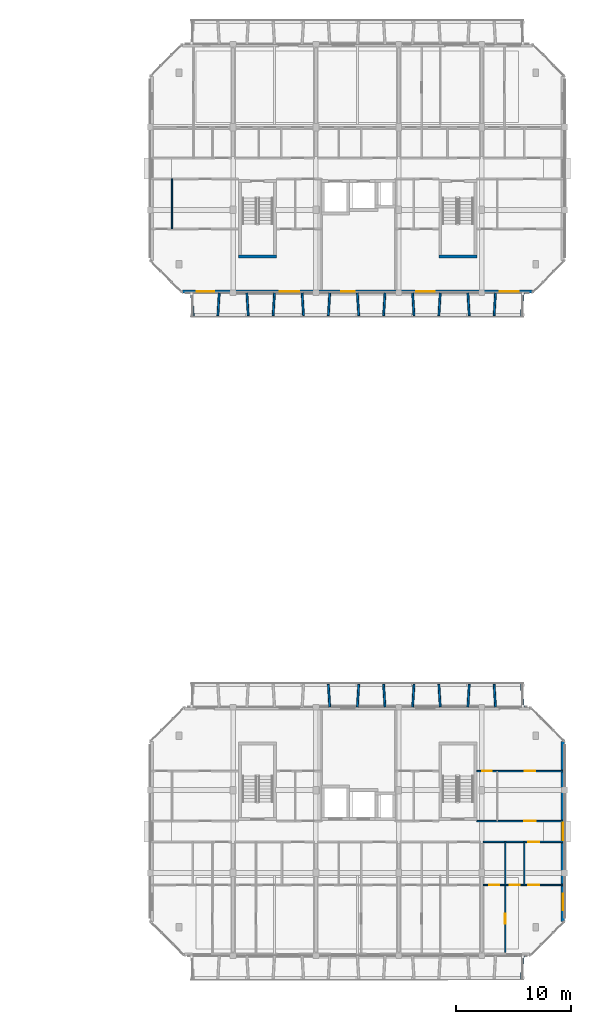
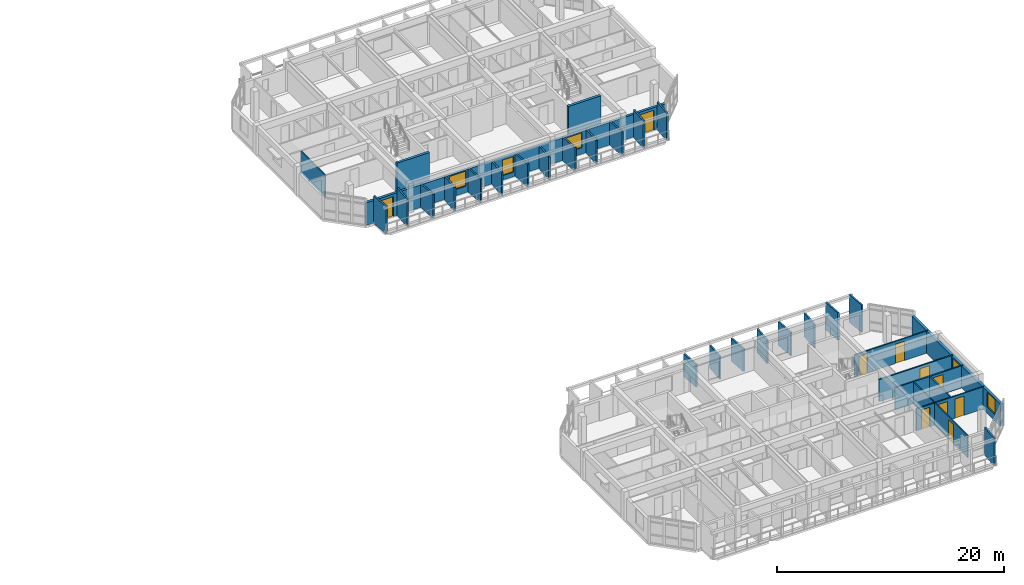
# One storey, part 26 of 45: 34 walls, 10 doors, 5 windows, 15 openings.
"""IFC4 building model written with IfcOpenShell, lengths in metres."""

from ifc_helpers import new_model, si_unit, direction, frame, frame_2d, origin, place, context, subcontext, project, spatial, rectangle, extrude, material, layer, layer_set, type_object, element, fill, save


model = new_model("IFC4")

# Units and contexts
model_context = context("Model", 3, precision=1e-05, world=origin(), true_north=direction((0.0, 1.0)))
body_context = subcontext(model_context, "Body", "Model", "MODEL_VIEW")
ifc_project = project(units=[si_unit("LENGTHUNIT", "METRE"), si_unit("AREAUNIT", "SQUARE_METRE"), si_unit("VOLUMEUNIT", "CUBIC_METRE"), si_unit("PLANEANGLEUNIT", "RADIAN"), si_unit("MASSUNIT", "GRAM", prefix="KILO")], contexts=[model_context])

# Site, building, storey
site_placement = place(None, origin())
site = spatial("IfcSite", under=ifc_project, at=site_placement, CompositionType="ELEMENT")
building_placement = place(site_placement, origin())
building = spatial("IfcBuilding", under=site, at=building_placement, Name="Ochrevale Crest", CompositionType="ELEMENT")
storey_placement = place(building_placement, frame((0.0, 0.0, 18.14990234375)))
storey = spatial("IfcBuildingStorey", under=building, at=storey_placement, Name="L05", CompositionType="ELEMENT", Elevation=18.14990234375)

# Wall, opening, door
ifc_material_1 = material(Name="Gypsum plasterboard", Category="gypsum")
ifc_layer_1 = layer(ifc_material_1, 0.139892578125)
ifc_layer_set_1 = layer_set([ifc_layer_1], Name="Gypsum plasterboard")
wall_type_1 = type_object("IfcWallType", Name="WL-COR-140", PredefinedType="PARTITIONING", material=ifc_layer_set_1)
wall_1_placement = place(storey_placement, frame((158.5400390625, 24.300048828125, 0.0), z_axis=(0.0, 0.0, 1.0), x_axis=(1.0, 0.0, 0.0)))
wall_1 = element("IfcWall", 1, at=wall_1_placement, inside=storey, type_object=wall_type_1, Name="Apartment C-L05-U5 corridor wall", PredefinedType="PARTITIONING", context=body_context, shape_type="SweptSolid", body=[
    extrude(rectangle(XDim=6.919921875, YDim=0.139892578125, at=frame_2d((3.4599609375, 0.0))), origin(), (0.0, 0.0, 1.0), 2.380126953125),
])
opening_1_placement = place(wall_1_placement, frame((3.89501953125, 0.0, 0.0)))
opening_1 = element("IfcOpeningElement", 2, at=opening_1_placement, cuts=wall_1, Name="Opening FD01", PredefinedType="OPENING", context=body_context, shape_type="SweptSolid", body=[
    extrude(rectangle(XDim=0.97998046875, YDim=2.10009765625, at=frame_2d((0.489990234375, 1.050048828125))), frame((0.0, 0.080078125, 0.0), z_axis=(0.0, -1.0, 0.0), x_axis=(1.0, 0.0, 0.0)), (0.0, 0.0, 1.0), 0.159912109375),
])
ifc_material_2 = material(Name="Solid-core FSC hardwood", Category="wood")
door_type_1 = type_object("IfcDoorType", Name="DR-APT-950", OperationType="NOTDEFINED", PredefinedType="DOOR", material=ifc_material_2)
door_1_placement = place(opening_1_placement, origin())
door_1 = element("IfcDoor", 3, at=door_1_placement, inside=storey, type_object=door_type_1, Name="Apartment C-L05-U5 entrance door", OperationType="SINGLE_SWING_LEFT", OverallHeight=2.10009765625, OverallWidth=0.97998046875, PredefinedType="DOOR", context=body_context, shape_type="SweptSolid", body=[
    extrude(rectangle(XDim=0.97998046875, YDim=2.10009765625, at=frame_2d((0.489990234375, 1.050048828125))), frame((0.0, 0.02490234375, 0.0), z_axis=(0.0, -1.0, 0.0), x_axis=(1.0, 0.0, 0.0)), (0.0, 0.0, 1.0), 0.050048828125),
])
fill(opening_1, door_1)

wall_2_placement = place(storey_placement, frame((157.989990234375, 26.10009765625, 0.0), z_axis=(0.0, 0.0, 1.0), x_axis=(1.0, 0.0, 0.0)))
wall_2 = element("IfcWall", 4, at=wall_2_placement, inside=storey, type_object=wall_type_1, Name="Suite C-L05-CE corridor wall", PredefinedType="PARTITIONING", context=body_context, shape_type="SweptSolid", body=[
    extrude(rectangle(XDim=7.469970703125, YDim=0.139892578125, at=frame_2d((3.73486328125, 0.0))), origin(), (0.0, 0.0, 1.0), 2.380126953125),
])
opening_2_placement = place(wall_2_placement, frame((4.1201171875, 0.0, 0.0)))
opening_2 = element("IfcOpeningElement", 5, at=opening_2_placement, cuts=wall_2, Name="Opening FD01", PredefinedType="OPENING", context=body_context, shape_type="SweptSolid", body=[
    extrude(rectangle(XDim=0.97998046875, YDim=2.10009765625, at=frame_2d((0.489990234375, 1.050048828125))), frame((0.0, 0.080078125, 0.0), z_axis=(0.0, -1.0, 0.0), x_axis=(1.0, 0.0, 0.0)), (0.0, 0.0, 1.0), 0.159912109375),
])
door_2_placement = place(opening_2_placement, origin())
door_2 = element("IfcDoor", 6, at=door_2_placement, inside=storey, type_object=door_type_1, Name="Suite C-L05-CE entrance door", OperationType="SINGLE_SWING_LEFT", OverallHeight=2.10009765625, OverallWidth=0.97998046875, PredefinedType="DOOR", context=body_context, shape_type="SweptSolid", body=[
    extrude(rectangle(XDim=0.97998046875, YDim=2.10009765625, at=frame_2d((0.489990234375, 1.050048828125))), frame((0.0, 0.02490234375, 0.0), z_axis=(0.0, -1.0, 0.0), x_axis=(1.0, 0.0, 0.0)), (0.0, 0.0, 1.0), 0.050048828125),
])
fill(opening_2, door_2)

# Walls
ifc_material_3 = material(Name="Precast concrete C50/60", Category="concrete")
ifc_layer_2 = layer(ifc_material_3, 0.2548828125)
ifc_layer_set_2 = layer_set([ifc_layer_2], Name="Precast concrete C50/60")
wall_type_2 = type_object("IfcWallType", Name="WL-CORE-255", PredefinedType="SHEAR", material=ifc_layer_set_2)
for number, where, z_axis, x_axis, name in (
    (7, (137.2724609375, 75.14990234375, 0.0), (0.0, 0.0, 1.0), (1.0, 0.0, 0.0), "Block D L05 Stair 1 precast core shear wall S"),
    (8, (154.672607421875, 75.14990234375, 0.0), (0.0, 0.0, 1.0), (1.0, 0.0, 0.0), "Block D L05 Stair 2 precast core shear wall S"),
):
    element("IfcWall", number, at=place(storey_placement, frame(where, z_axis=z_axis, x_axis=x_axis)), inside=storey, type_object=wall_type_2, Name=name, PredefinedType="SHEAR", context=body_context, shape_type="SweptSolid", body=[
        extrude(rectangle(XDim=3.304931640625, YDim=0.2548828125, at=frame_2d((1.65234375, 0.0))), origin(), (0.0, 0.0, 1.0), 3.150146484375),
    ])

# Wall, openings, windows
ifc_material_4 = material(Name="Clay face brickwork", Category="masonry")
ifc_layer_3 = layer(ifc_material_4, 0.2900390625)
ifc_layer_set_3 = layer_set([ifc_layer_3], Name="Clay face brickwork")
wall_type_3 = type_object("IfcWallType", Name="WL-EXT-BRICK-290", PredefinedType="SOLIDWALL", material=ifc_layer_set_3)
wall_3_placement = place(storey_placement, frame((165.455078125, 17.39990234375, 0.0), z_axis=(0.0, 0.0, 1.0), x_axis=(0.0, 1.0, 0.0)))
wall_3 = element("IfcWall", 9, at=wall_3_placement, inside=storey, type_object=wall_type_3, Name="Block C L05 external facade wall E3", PredefinedType="SOLIDWALL", context=body_context, shape_type="SweptSolid", body=[
    extrude(rectangle(XDim=15.60009765625, YDim=0.2900390625, at=frame_2d((7.800048828125, 0.0))), origin(), (0.0, 0.0, 1.0), 2.380126953125),
])
opening_3_placement = place(wall_3_placement, frame((7.050048828125, 0.0, 1.050048828125)))
opening_3 = element("IfcOpeningElement", 10, at=opening_3_placement, cuts=wall_3, Name="Opening W18", PredefinedType="OPENING", context=body_context, shape_type="SweptSolid", body=[
    extrude(rectangle(XDim=1.5, YDim=1.14990234375, at=frame_2d((0.75, 0.574951171875))), frame((0.0, 0.155029296875, 0.0), z_axis=(0.0, -1.0, 0.0), x_axis=(1.0, 0.0, 0.0)), (0.0, 0.0, 1.0), 0.31005859375),
])
opening_4_placement = place(wall_3_placement, frame((0.97998046875, 0.0, 0.669921875)))
opening_4 = element("IfcOpeningElement", 11, at=opening_4_placement, cuts=wall_3, Name="Opening W31", PredefinedType="OPENING", context=body_context, shape_type="SweptSolid", body=[
    extrude(rectangle(XDim=1.419921875, YDim=1.60009765625, at=frame_2d((0.7099609375, 0.800048828125))), frame((0.0, 0.155029296875, 0.0), z_axis=(0.0, -1.0, 0.0), x_axis=(1.0, 0.0, 0.0)), (0.0, 0.0, 1.0), 0.31005859375),
])
ifc_material_5 = material(Name="Anodised aluminium 6063-T5 and low-E double glazing", Category="aluminium")
window_type_1 = type_object("IfcWindowType", Name="WIN-W18", PartitioningType="SINGLE_PANEL", PredefinedType="WINDOW", material=ifc_material_5)
window_1_placement = place(opening_3_placement, origin())
window_1 = element("IfcWindow", 12, at=window_1_placement, inside=storey, type_object=window_type_1, Name="Block C L05 corridor end daylight window E", OverallHeight=1.14990234375, OverallWidth=1.5, PartitioningType="SINGLE_PANEL", PredefinedType="WINDOW", context=body_context, shape_type="SweptSolid", body=[
    extrude(rectangle(XDim=1.5, YDim=1.14990234375, at=frame_2d((0.75, 0.574951171875))), frame((0.0, 0.030029296875, 0.0), z_axis=(0.0, -1.0, 0.0), x_axis=(1.0, 0.0, 0.0)), (0.0, 0.0, 1.0), 0.06005859375),
])
fill(opening_3, window_1)
window_type_2 = type_object("IfcWindowType", Name="WIN-W31", PartitioningType="SINGLE_PANEL", PredefinedType="WINDOW", material=ifc_material_5)
window_2_placement = place(opening_4_placement, origin())
window_2 = element("IfcWindow", 13, at=window_2_placement, inside=storey, type_object=window_type_2, Name="Block C L05 side suite window E", OverallHeight=1.60009765625, OverallWidth=1.419921875, PartitioningType="SINGLE_PANEL", PredefinedType="WINDOW", context=body_context, shape_type="SweptSolid", body=[
    extrude(rectangle(XDim=1.419921875, YDim=1.60009765625, at=frame_2d((0.7099609375, 0.800048828125))), frame((0.0, 0.030029296875, 0.0), z_axis=(0.0, -1.0, 0.0), x_axis=(1.0, 0.0, 0.0)), (0.0, 0.0, 1.0), 0.06005859375),
])
fill(opening_4, window_2)

# Wall, openings, doors, windows
ifc_material_6 = material(Name="Precast concrete C40/50", Category="concrete")
ifc_layer_4 = layer(ifc_material_6, 0.25)
ifc_layer_set_4 = layer_set([ifc_layer_4], Name="Precast concrete C40/50")
wall_type_4 = type_object("IfcWallType", Name="WL-EXT-GOLD-250", PredefinedType="SOLIDWALL", material=ifc_layer_set_4)
wall_4_placement = place(storey_placement, frame((132.39990234375, 72.125, 0.0), z_axis=(0.0, 0.0, 1.0), x_axis=(1.0, 0.0, 0.0)))
wall_4 = element("IfcWall", 14, at=wall_4_placement, inside=storey, type_object=wall_type_4, Name="Block D L05 external facade wall E1", PredefinedType="SOLIDWALL", context=body_context, shape_type="SweptSolid", body=[
    extrude(rectangle(XDim=30.400146484375, YDim=0.25, at=frame_2d((15.2001953125, 0.0))), origin(), (0.0, 0.0, 1.0), 2.43017578125),
])
opening_5_placement = place(wall_4_placement, frame((2.75, 0.0, 0.0), z_axis=(0.0, 0.0, 1.0), x_axis=(-1.0, 0.0, 0.0)))
opening_5 = element("IfcOpeningElement", 15, at=opening_5_placement, cuts=wall_4, Name="Opening BD01", PredefinedType="OPENING", context=body_context, shape_type="SweptSolid", body=[
    extrude(rectangle(XDim=1.5, YDim=2.14990234375, at=frame_2d((0.75, 1.074951171875))), frame((0.0, 0.135009765625, 0.0), z_axis=(0.0, -1.0, 0.0), x_axis=(1.0, 0.0, 0.0)), (0.0, 0.0, 1.0), 0.27001953125),
])
opening_6_placement = place(wall_4_placement, frame((29.224853515625, 0.0, 0.0), z_axis=(0.0, 0.0, 1.0), x_axis=(-1.0, 0.0, 0.0)))
opening_6 = element("IfcOpeningElement", 16, at=opening_6_placement, cuts=wall_4, Name="Opening BD02", PredefinedType="OPENING", context=body_context, shape_type="SweptSolid", body=[
    extrude(rectangle(XDim=1.64990234375, YDim=2.14990234375, at=frame_2d((0.824951171875, 1.074951171875))), frame((0.0, 0.135009765625, 0.0), z_axis=(0.0, -1.0, 0.0), x_axis=(1.0, 0.0, 0.0)), (0.0, 0.0, 1.0), 0.27001953125),
])
opening_7_placement = place(wall_4_placement, frame((13.820068359375, 0.0, 0.5)))
opening_7 = element("IfcOpeningElement", 17, at=opening_7_placement, cuts=wall_4, Name="Opening W32", PredefinedType="OPENING", context=body_context, shape_type="SweptSolid", body=[
    extrude(rectangle(XDim=1.14990234375, YDim=1.679931640625, at=frame_2d((0.574951171875, 0.83984375))), frame((0.0, 0.135009765625, 0.0), z_axis=(0.0, -1.0, 0.0), x_axis=(1.0, 0.0, 0.0)), (0.0, 0.0, 1.0), 0.27001953125),
])
opening_8_placement = place(wall_4_placement, frame((20.3349609375, 0.0, 0.699951171875)))
opening_8 = element("IfcOpeningElement", 18, at=opening_8_placement, cuts=wall_4, Name="Opening W09", PredefinedType="OPENING", context=body_context, shape_type="SweptSolid", body=[
    extrude(rectangle(XDim=1.580078125, YDim=1.60009765625, at=frame_2d((0.7900390625, 0.800048828125))), frame((0.0, 0.135009765625, 0.0), z_axis=(0.0, -1.0, 0.0), x_axis=(1.0, 0.0, 0.0)), (0.0, 0.0, 1.0), 0.27001953125),
])
opening_9_placement = place(wall_4_placement, frame((8.43994140625, 0.0, 0.699951171875)))
opening_9 = element("IfcOpeningElement", 19, at=opening_9_placement, cuts=wall_4, Name="Opening W10", PredefinedType="OPENING", context=body_context, shape_type="SweptSolid", body=[
    extrude(rectangle(XDim=1.719970703125, YDim=1.60009765625, at=frame_2d((0.85986328125, 0.800048828125))), frame((0.0, 0.135009765625, 0.0), z_axis=(0.0, -1.0, 0.0), x_axis=(1.0, 0.0, 0.0)), (0.0, 0.0, 1.0), 0.27001953125),
])
ifc_material_7 = material(Name="Anodised aluminium 6063-T5 and toughened glass", Category="aluminium")
door_type_2 = type_object("IfcDoorType", Name="DR-BAL-1500", OperationType="NOTDEFINED", PredefinedType="DOOR", material=ifc_material_7)
door_3_placement = place(opening_5_placement, origin())
door_3 = element("IfcDoor", 20, at=door_3_placement, inside=storey, type_object=door_type_2, Name="Block D L05 balcony door S1", OperationType="SINGLE_SWING_LEFT", OverallHeight=2.14990234375, OverallWidth=1.5, PredefinedType="DOOR", context=body_context, shape_type="SweptSolid", body=[
    extrude(rectangle(XDim=1.5, YDim=2.14990234375, at=frame_2d((0.75, 1.074951171875))), frame((0.0, 0.02490234375, 0.0), z_axis=(0.0, -1.0, 0.0), x_axis=(1.0, 0.0, 0.0)), (0.0, 0.0, 1.0), 0.050048828125),
])
fill(opening_5, door_3)
door_type_3 = type_object("IfcDoorType", Name="DR-BAL-1650", OperationType="NOTDEFINED", PredefinedType="DOOR", material=ifc_material_7)
door_4_placement = place(opening_6_placement, origin())
door_4 = element("IfcDoor", 21, at=door_4_placement, inside=storey, type_object=door_type_3, Name="Block D L05 balcony door S5", OperationType="SINGLE_SWING_RIGHT", OverallHeight=2.14990234375, OverallWidth=1.64990234375, PredefinedType="DOOR", context=body_context, shape_type="SweptSolid", body=[
    extrude(rectangle(XDim=1.64990234375, YDim=2.14990234375, at=frame_2d((0.824951171875, 1.074951171875))), frame((0.0, 0.02490234375, 0.0), z_axis=(0.0, -1.0, 0.0), x_axis=(1.0, 0.0, 0.0)), (0.0, 0.0, 1.0), 0.050048828125),
])
fill(opening_6, door_4)
window_type_3 = type_object("IfcWindowType", Name="WIN-W09", PartitioningType="SINGLE_PANEL", PredefinedType="WINDOW", material=ifc_material_5)
window_3_placement = place(opening_8_placement, origin())
window_3 = element("IfcWindow", 22, at=window_3_placement, inside=storey, type_object=window_type_3, Name="Block D L05 Suite D-L05-ME Garden Alcove Studio window", OverallHeight=1.60009765625, OverallWidth=1.580078125, PartitioningType="SINGLE_PANEL", PredefinedType="WINDOW", context=body_context, shape_type="SweptSolid", body=[
    extrude(rectangle(XDim=1.580078125, YDim=1.60009765625, at=frame_2d((0.7900390625, 0.800048828125))), frame((0.0, 0.030029296875, 0.0), z_axis=(0.0, -1.0, 0.0), x_axis=(1.0, 0.0, 0.0)), (0.0, 0.0, 1.0), 0.06005859375),
])
fill(opening_8, window_3)
window_type_4 = type_object("IfcWindowType", Name="WIN-W10", PartitioningType="SINGLE_PANEL", PredefinedType="WINDOW", material=ifc_material_5)
window_4_placement = place(opening_9_placement, origin())
window_4 = element("IfcWindow", 23, at=window_4_placement, inside=storey, type_object=window_type_4, Name="Block D L05 Suite D-L05-MW Courtyard Studio Living window", OverallHeight=1.60009765625, OverallWidth=1.719970703125, PartitioningType="SINGLE_PANEL", PredefinedType="WINDOW", context=body_context, shape_type="SweptSolid", body=[
    extrude(rectangle(XDim=1.719970703125, YDim=1.60009765625, at=frame_2d((0.85986328125, 0.800048828125))), frame((0.0, 0.030029296875, 0.0), z_axis=(0.0, -1.0, 0.0), x_axis=(1.0, 0.0, 0.0)), (0.0, 0.0, 1.0), 0.06005859375),
])
fill(opening_9, window_4)
window_type_5 = type_object("IfcWindowType", Name="WIN-W32", PartitioningType="SINGLE_PANEL", PredefinedType="WINDOW", material=ifc_material_5)
window_5_placement = place(opening_7_placement, origin())
window_5 = element("IfcWindow", 24, at=window_5_placement, inside=storey, type_object=window_type_5, Name="Block D L05 core lancet window", OverallHeight=1.679931640625, OverallWidth=1.14990234375, PartitioningType="SINGLE_PANEL", PredefinedType="WINDOW", context=body_context, shape_type="SweptSolid", body=[
    extrude(rectangle(XDim=1.14990234375, YDim=1.679931640625, at=frame_2d((0.574951171875, 0.83984375))), frame((0.0, 0.030029296875, 0.0), z_axis=(0.0, -1.0, 0.0), x_axis=(1.0, 0.0, 0.0)), (0.0, 0.0, 1.0), 0.06005859375),
])
fill(opening_7, window_5)

# Walls
ifc_layer_5 = layer(ifc_material_6, 0.1650390625)
ifc_layer_set_5 = layer_set([ifc_layer_5], Name="Precast concrete C40/50")
wall_type_5 = type_object("IfcWallType", Name="WL-HC-CHEEK-165", PredefinedType="ELEMENTEDWALL", material=ifc_layer_set_5)
wall_5_placement = place(storey_placement, frame((162.0, 14.3798828125, 0.0), z_axis=(0.0, 0.0, 1.0), x_axis=(-0.071194071069, -0.997462482625, 0.0)))
element("IfcWall", 25, at=wall_5_placement, inside=storey, type_object=wall_type_5, Name="Block C L05 S precast honeycomb cheek 13", PredefinedType="ELEMENTEDWALL", context=body_context, shape_type="SweptSolid", body=[
    extrude(rectangle(XDim=1.96484375, YDim=0.1650390625, at=frame_2d((0.982421875, 0.0))), origin(), (0.0, 0.0, 1.0), 2.9501953125),
])
for number, where, z_axis, x_axis, name in (
    (26, (145.199951171875, 36.02001953125, 0.0), (0.0, 0.0, 1.0), (-0.061046865508, 0.998134900808, 0.0), "Block C L05 N precast honeycomb cheek 6"),
    (27, (147.60009765625, 36.02001953125, 0.0), (0.0, 0.0, 1.0), (0.061046865508, 0.998134900808, 0.0), "Block C L05 N precast honeycomb cheek 7"),
    (28, (150.0, 36.02001953125, 0.0), (0.0, 0.0, 1.0), (-0.061170732449, 0.998127317276, 0.0), "Block C L05 N precast honeycomb cheek 8"),
):
    element("IfcWall", number, at=place(storey_placement, frame(where, z_axis=z_axis, x_axis=x_axis)), inside=storey, type_object=wall_type_5, Name=name, PredefinedType="ELEMENTEDWALL", context=body_context, shape_type="SweptSolid", body=[
        extrude(rectangle(XDim=1.963623046875, YDim=0.1650390625, at=frame_2d((0.98193359375, 0.0))), origin(), (0.0, 0.0, 1.0), 2.4501953125),
    ])
for number, where, z_axis, x_axis, name in (
    (29, (152.39990234375, 36.02001953125, 0.0), (0.0, 0.0, 1.0), (0.061170732449, 0.998127317276, 0.0), "Block C L05 N precast honeycomb cheek 9"),
    (30, (154.800048828125, 36.02001953125, 0.0), (0.0, 0.0, 1.0), (-0.061170732449, 0.998127317276, 0.0), "Block C L05 N precast honeycomb cheek 10"),
    (31, (157.199951171875, 36.02001953125, 0.0), (0.0, 0.0, 1.0), (0.061170732449, 0.998127317276, 0.0), "Block C L05 N precast honeycomb cheek 11"),
):
    element("IfcWall", number, at=place(storey_placement, frame(where, z_axis=z_axis, x_axis=x_axis)), inside=storey, type_object=wall_type_5, Name=name, PredefinedType="ELEMENTEDWALL", context=body_context, shape_type="SweptSolid", body=[
        extrude(rectangle(XDim=1.963623046875, YDim=0.1650390625, at=frame_2d((0.98193359375, 0.0))), origin(), (0.0, 0.0, 1.0), 2.530029296875),
    ])
wall_6_placement = place(storey_placement, frame((159.60009765625, 36.02001953125, 0.0), z_axis=(0.0, 0.0, 1.0), x_axis=(-0.061170732449, 0.998127317276, 0.0)))
element("IfcWall", 32, at=wall_6_placement, inside=storey, type_object=wall_type_5, Name="Block C L05 N precast honeycomb cheek 12", PredefinedType="ELEMENTEDWALL", context=body_context, shape_type="SweptSolid", body=[
    extrude(rectangle(XDim=1.963623046875, YDim=0.1650390625, at=frame_2d((0.98193359375, 0.0))), origin(), (0.0, 0.0, 1.0), 2.9501953125),
])
for number, where, z_axis, x_axis, name in (
    (33, (162.0, 36.02001953125, 0.0), (0.0, 0.0, 1.0), (-0.071194071069, 0.997462482625, 0.0), "Block C L05 N precast honeycomb cheek 13"),
    (34, (133.199951171875, 71.97998046875, 0.0), (0.0, 0.0, 1.0), (0.071317687608, -0.997453651772, 0.0), "Block D L05 S precast honeycomb cheek 1"),
):
    element("IfcWall", number, at=place(storey_placement, frame(where, z_axis=z_axis, x_axis=x_axis)), inside=storey, type_object=wall_type_5, Name=name, PredefinedType="ELEMENTEDWALL", context=body_context, shape_type="SweptSolid", body=[
        extrude(rectangle(XDim=1.96484375, YDim=0.1650390625, at=frame_2d((0.982421875, 0.0))), origin(), (0.0, 0.0, 1.0), 2.9501953125),
    ])
wall_7_placement = place(storey_placement, frame((135.60009765625, 71.97998046875, 0.0), z_axis=(0.0, 0.0, 1.0), x_axis=(-0.061170732449, -0.998127317276, 0.0)))
element("IfcWall", 35, at=wall_7_placement, inside=storey, type_object=wall_type_5, Name="Block D L05 S precast honeycomb cheek 2", PredefinedType="ELEMENTEDWALL", context=body_context, shape_type="SweptSolid", body=[
    extrude(rectangle(XDim=1.963623046875, YDim=0.1650390625, at=frame_2d((0.98193359375, 0.0))), origin(), (0.0, 0.0, 1.0), 2.9501953125),
])
for number, where, z_axis, x_axis, name in (
    (36, (138.0, 71.97998046875, 0.0), (0.0, 0.0, 1.0), (0.061170732449, -0.998127317276, 0.0), "Block D L05 S precast honeycomb cheek 3"),
    (37, (140.39990234375, 71.97998046875, 0.0), (0.0, 0.0, 1.0), (-0.061046865508, -0.998134900808, 0.0), "Block D L05 S precast honeycomb cheek 4"),
    (38, (142.800048828125, 71.97998046875, 0.0), (0.0, 0.0, 1.0), (0.061046865508, -0.998134900808, 0.0), "Block D L05 S precast honeycomb cheek 5"),
):
    element("IfcWall", number, at=place(storey_placement, frame(where, z_axis=z_axis, x_axis=x_axis)), inside=storey, type_object=wall_type_5, Name=name, PredefinedType="ELEMENTEDWALL", context=body_context, shape_type="SweptSolid", body=[
        extrude(rectangle(XDim=1.963623046875, YDim=0.1650390625, at=frame_2d((0.98193359375, 0.0))), origin(), (0.0, 0.0, 1.0), 2.550048828125),
    ])
for number, where, z_axis, x_axis, name in (
    (39, (145.199951171875, 71.97998046875, 0.0), (0.0, 0.0, 1.0), (-0.061046865508, -0.998134900808, 0.0), "Block D L05 S precast honeycomb cheek 6"),
    (40, (147.60009765625, 71.97998046875, 0.0), (0.0, 0.0, 1.0), (0.061046865508, -0.998134900808, 0.0), "Block D L05 S precast honeycomb cheek 7"),
    (41, (150.0, 71.97998046875, 0.0), (0.0, 0.0, 1.0), (-0.061170732449, -0.998127317276, 0.0), "Block D L05 S precast honeycomb cheek 8"),
):
    element("IfcWall", number, at=place(storey_placement, frame(where, z_axis=z_axis, x_axis=x_axis)), inside=storey, type_object=wall_type_5, Name=name, PredefinedType="ELEMENTEDWALL", context=body_context, shape_type="SweptSolid", body=[
        extrude(rectangle(XDim=1.963623046875, YDim=0.1650390625, at=frame_2d((0.98193359375, 0.0))), origin(), (0.0, 0.0, 1.0), 2.4501953125),
    ])
for number, where, z_axis, x_axis, name in (
    (42, (152.39990234375, 71.97998046875, 0.0), (0.0, 0.0, 1.0), (0.061170732449, -0.998127317276, 0.0), "Block D L05 S precast honeycomb cheek 9"),
    (43, (154.800048828125, 71.97998046875, 0.0), (0.0, 0.0, 1.0), (-0.061170732449, -0.998127317276, 0.0), "Block D L05 S precast honeycomb cheek 10"),
    (44, (157.199951171875, 71.97998046875, 0.0), (0.0, 0.0, 1.0), (0.061170732449, -0.998127317276, 0.0), "Block D L05 S precast honeycomb cheek 11"),
):
    element("IfcWall", number, at=place(storey_placement, frame(where, z_axis=z_axis, x_axis=x_axis)), inside=storey, type_object=wall_type_5, Name=name, PredefinedType="ELEMENTEDWALL", context=body_context, shape_type="SweptSolid", body=[
        extrude(rectangle(XDim=1.963623046875, YDim=0.1650390625, at=frame_2d((0.98193359375, 0.0))), origin(), (0.0, 0.0, 1.0), 2.530029296875),
    ])
wall_8_placement = place(storey_placement, frame((159.60009765625, 71.97998046875, 0.0), z_axis=(0.0, 0.0, 1.0), x_axis=(-0.061170732449, -0.998127317276, 0.0)))
element("IfcWall", 45, at=wall_8_placement, inside=storey, type_object=wall_type_5, Name="Block D L05 S precast honeycomb cheek 12", PredefinedType="ELEMENTEDWALL", context=body_context, shape_type="SweptSolid", body=[
    extrude(rectangle(XDim=1.963623046875, YDim=0.1650390625, at=frame_2d((0.98193359375, 0.0))), origin(), (0.0, 0.0, 1.0), 2.9501953125),
])
wall_9_placement = place(storey_placement, frame((162.0, 71.97998046875, 0.0), z_axis=(0.0, 0.0, 1.0), x_axis=(-0.071194071069, -0.997462482625, 0.0)))
element("IfcWall", 46, at=wall_9_placement, inside=storey, type_object=wall_type_5, Name="Block D L05 S precast honeycomb cheek 13", PredefinedType="ELEMENTEDWALL", context=body_context, shape_type="SweptSolid", body=[
    extrude(rectangle(XDim=1.96484375, YDim=0.1650390625, at=frame_2d((0.982421875, 0.0))), origin(), (0.0, 0.0, 1.0), 2.9501953125),
])
ifc_layer_6 = layer(ifc_material_1, 0.1201171875)
ifc_layer_set_6 = layer_set([ifc_layer_6], Name="Gypsum plasterboard")
wall_type_6 = type_object("IfcWallType", Name="WL-PART-120", PredefinedType="PARTITIONING", material=ifc_layer_set_6)
wall_10_placement = place(storey_placement, frame((162.10009765625, 20.550048828125, 0.0), z_axis=(0.0, 0.0, 1.0), x_axis=(0.0, 1.0, 0.0)))
element("IfcWall", 47, at=wall_10_placement, inside=storey, type_object=wall_type_6, Name="Apartment C-L05-U5 kitchen-foyer wall", PredefinedType="PARTITIONING", context=body_context, shape_type="SweptSolid", body=[
    extrude(rectangle(XDim=3.75, YDim=0.1201171875, at=frame_2d((1.875, 0.0))), origin(), (0.0, 0.0, 1.0), 2.375),
])

# Wall, openings, doors
wall_11_placement = place(storey_placement, frame((158.5400390625, 20.550048828125, 0.0), z_axis=(0.0, 0.0, 1.0), x_axis=(1.0, 0.0, 0.0)))
wall_11 = element("IfcWall", 48, at=wall_11_placement, inside=storey, type_object=wall_type_6, Name="Apartment C-L05-U5 central partition", PredefinedType="PARTITIONING", context=body_context, shape_type="SweptSolid", body=[
    extrude(rectangle(XDim=6.919921875, YDim=0.1201171875, at=frame_2d((3.4599609375, 0.0))), origin(), (0.0, 0.0, 1.0), 2.380126953125),
])
opening_10_placement = place(wall_11_placement, frame((1.380126953125, 0.0, 0.0), z_axis=(0.0, 0.0, 1.0), x_axis=(-1.0, 0.0, 0.0)))
opening_10 = element("IfcOpeningElement", 49, at=opening_10_placement, cuts=wall_11, Name="Opening ID01", PredefinedType="OPENING", context=body_context, shape_type="SweptSolid", body=[
    extrude(rectangle(XDim=0.85009765625, YDim=2.080078125, at=frame_2d((0.425048828125, 1.0400390625))), frame((0.0, 0.070068359375, 0.0), z_axis=(0.0, -1.0, 0.0), x_axis=(1.0, 0.0, 0.0)), (0.0, 0.0, 1.0), 0.14013671875),
])
opening_11_placement = place(wall_11_placement, frame((2.284912109375, 0.0, 0.0)))
opening_11 = element("IfcOpeningElement", 50, at=opening_11_placement, cuts=wall_11, Name="Opening ID02", PredefinedType="OPENING", context=body_context, shape_type="SweptSolid", body=[
    extrude(rectangle(XDim=0.89990234375, YDim=2.080078125, at=frame_2d((0.449951171875, 1.0400390625))), frame((0.0, 0.070068359375, 0.0), z_axis=(0.0, -1.0, 0.0), x_axis=(1.0, 0.0, 0.0)), (0.0, 0.0, 1.0), 0.14013671875),
])
opening_12_placement = place(wall_11_placement, frame((4.85986328125, 0.0, 0.0), z_axis=(0.0, 0.0, 1.0), x_axis=(-1.0, 0.0, 0.0)))
opening_12 = element("IfcOpeningElement", 51, at=opening_12_placement, cuts=wall_11, Name="Opening ID06", PredefinedType="OPENING", context=body_context, shape_type="SweptSolid", body=[
    extrude(rectangle(XDim=0.949951171875, YDim=2.080078125, at=frame_2d((0.47509765625, 1.0400390625))), frame((0.0, 0.070068359375, 0.0), z_axis=(0.0, -1.0, 0.0), x_axis=(1.0, 0.0, 0.0)), (0.0, 0.0, 1.0), 0.14013671875),
])
door_type_4 = type_object("IfcDoorType", Name="DR-INT-900", OperationType="NOTDEFINED", PredefinedType="DOOR", material=ifc_material_2)
door_5_placement = place(opening_11_placement, origin())
door_5 = element("IfcDoor", 52, at=door_5_placement, inside=storey, type_object=door_type_4, Name="Apartment C-L05-U5 Kitchen door", OperationType="SINGLE_SWING_LEFT", OverallHeight=2.080078125, OverallWidth=0.89990234375, PredefinedType="DOOR", context=body_context, shape_type="SweptSolid", body=[
    extrude(rectangle(XDim=0.89990234375, YDim=2.080078125, at=frame_2d((0.449951171875, 1.0400390625))), frame((0.0, 0.02490234375, 0.0), z_axis=(0.0, -1.0, 0.0), x_axis=(1.0, 0.0, 0.0)), (0.0, 0.0, 1.0), 0.050048828125),
])
fill(opening_11, door_5)
door_type_5 = type_object("IfcDoorType", Name="DR-INT-950", OperationType="NOTDEFINED", PredefinedType="DOOR", material=ifc_material_2)
door_6_placement = place(opening_12_placement, origin())
door_6 = element("IfcDoor", 53, at=door_6_placement, inside=storey, type_object=door_type_5, Name="Apartment C-L05-U5 Living Foyer door", OperationType="SINGLE_SWING_RIGHT", OverallHeight=2.080078125, OverallWidth=0.949951171875, PredefinedType="DOOR", context=body_context, shape_type="SweptSolid", body=[
    extrude(rectangle(XDim=0.949951171875, YDim=2.080078125, at=frame_2d((0.47509765625, 1.0400390625))), frame((0.0, 0.02490234375, 0.0), z_axis=(0.0, -1.0, 0.0), x_axis=(1.0, 0.0, 0.0)), (0.0, 0.0, 1.0), 0.050048828125),
])
fill(opening_12, door_6)
door_type_6 = type_object("IfcDoorType", Name="DR-WC-850", OperationType="NOTDEFINED", PredefinedType="DOOR", material=ifc_material_2)
door_7_placement = place(opening_10_placement, origin())
door_7 = element("IfcDoor", 54, at=door_7_placement, inside=storey, type_object=door_type_6, Name="Apartment C-L05-U5 Bathroom door", OperationType="SINGLE_SWING_RIGHT", OverallHeight=2.080078125, OverallWidth=0.85009765625, PredefinedType="DOOR", context=body_context, shape_type="SweptSolid", body=[
    extrude(rectangle(XDim=0.85009765625, YDim=2.080078125, at=frame_2d((0.425048828125, 1.0400390625))), frame((0.0, 0.02490234375, 0.0), z_axis=(0.0, -1.0, 0.0), x_axis=(1.0, 0.0, 0.0)), (0.0, 0.0, 1.0), 0.050048828125),
])
fill(opening_10, door_7)

# Wall, opening, door
wall_12_placement = place(storey_placement, frame((160.449951171875, 14.699951171875, 0.0), z_axis=(0.0, 0.0, 1.0), x_axis=(0.0, 1.0, 0.0)))
wall_12 = element("IfcWall", 55, at=wall_12_placement, inside=storey, type_object=wall_type_6, Name="Apartment C-L05-U5 bedroom partition", PredefinedType="PARTITIONING", context=body_context, shape_type="SweptSolid", body=[
    extrude(rectangle(XDim=5.85009765625, YDim=0.1201171875, at=frame_2d((2.925048828125, 0.0))), origin(), (0.0, 0.0, 1.0), 2.380126953125),
])
opening_13_placement = place(wall_12_placement, frame((2.47509765625, 0.0, 0.0)))
opening_13 = element("IfcOpeningElement", 56, at=opening_13_placement, cuts=wall_12, Name="Opening ID02", PredefinedType="OPENING", context=body_context, shape_type="SweptSolid", body=[
    extrude(rectangle(XDim=0.89990234375, YDim=2.080078125, at=frame_2d((0.449951171875, 1.0400390625))), frame((0.0, 0.070068359375, 0.0), z_axis=(0.0, -1.0, 0.0), x_axis=(1.0, 0.0, 0.0)), (0.0, 0.0, 1.0), 0.14013671875),
])
door_8_placement = place(opening_13_placement, origin())
door_8 = element("IfcDoor", 57, at=door_8_placement, inside=storey, type_object=door_type_4, Name="Apartment C-L05-U5 Master Bedroom door", OperationType="SINGLE_SWING_LEFT", OverallHeight=2.080078125, OverallWidth=0.89990234375, PredefinedType="DOOR", context=body_context, shape_type="SweptSolid", body=[
    extrude(rectangle(XDim=0.89990234375, YDim=2.080078125, at=frame_2d((0.449951171875, 1.0400390625))), frame((0.0, 0.02490234375, 0.0), z_axis=(0.0, -1.0, 0.0), x_axis=(1.0, 0.0, 0.0)), (0.0, 0.0, 1.0), 0.050048828125),
])
fill(opening_13, door_8)

# Wall, openings, doors
wall_13_placement = place(storey_placement, frame((157.989990234375, 30.449951171875, 0.0), z_axis=(0.0, 0.0, 1.0), x_axis=(1.0, 0.0, 0.0)))
wall_13 = element("IfcWall", 58, at=wall_13_placement, inside=storey, type_object=wall_type_6, Name="Suite C-L05-CE internal wall", PredefinedType="PARTITIONING", context=body_context, shape_type="SweptSolid", body=[
    extrude(rectangle(XDim=7.469970703125, YDim=0.1201171875, at=frame_2d((3.73486328125, 0.0))), origin(), (0.0, 0.0, 1.0), 2.380126953125),
])
opening_14_placement = place(wall_13_placement, frame((1.300048828125, 0.0, 0.0), z_axis=(0.0, 0.0, 1.0), x_axis=(-1.0, 0.0, 0.0)))
opening_14 = element("IfcOpeningElement", 59, at=opening_14_placement, cuts=wall_13, Name="Opening ID01", PredefinedType="OPENING", context=body_context, shape_type="SweptSolid", body=[
    extrude(rectangle(XDim=0.85009765625, YDim=2.080078125, at=frame_2d((0.425048828125, 1.0400390625))), frame((0.0, 0.070068359375, 0.0), z_axis=(0.0, -1.0, 0.0), x_axis=(1.0, 0.0, 0.0)), (0.0, 0.0, 1.0), 0.14013671875),
])
opening_15_placement = place(wall_13_placement, frame((4.14990234375, 0.0, 0.0)))
opening_15 = element("IfcOpeningElement", 60, at=opening_15_placement, cuts=wall_13, Name="Opening ID04", PredefinedType="OPENING", context=body_context, shape_type="SweptSolid", body=[
    extrude(rectangle(XDim=0.919921875, YDim=2.080078125, at=frame_2d((0.4599609375, 1.0400390625))), frame((0.0, 0.070068359375, 0.0), z_axis=(0.0, -1.0, 0.0), x_axis=(1.0, 0.0, 0.0)), (0.0, 0.0, 1.0), 0.14013671875),
])
door_type_7 = type_object("IfcDoorType", Name="DR-INT-920", OperationType="NOTDEFINED", PredefinedType="DOOR", material=ifc_material_2)
door_9_placement = place(opening_15_placement, origin())
door_9 = element("IfcDoor", 61, at=door_9_placement, inside=storey, type_object=door_type_7, Name="Suite C-L05-CE Master Bedroom door", OperationType="SINGLE_SWING_LEFT", OverallHeight=2.080078125, OverallWidth=0.919921875, PredefinedType="DOOR", context=body_context, shape_type="SweptSolid", body=[
    extrude(rectangle(XDim=0.919921875, YDim=2.080078125, at=frame_2d((0.4599609375, 1.0400390625))), frame((0.0, 0.02490234375, 0.0), z_axis=(0.0, -1.0, 0.0), x_axis=(1.0, 0.0, 0.0)), (0.0, 0.0, 1.0), 0.050048828125),
])
fill(opening_15, door_9)
door_10_placement = place(opening_14_placement, origin())
door_10 = element("IfcDoor", 62, at=door_10_placement, inside=storey, type_object=door_type_6, Name="Suite C-L05-CE Bathroom door", OperationType="SINGLE_SWING_RIGHT", OverallHeight=2.080078125, OverallWidth=0.85009765625, PredefinedType="DOOR", context=body_context, shape_type="SweptSolid", body=[
    extrude(rectangle(XDim=0.85009765625, YDim=2.080078125, at=frame_2d((0.425048828125, 1.0400390625))), frame((0.0, 0.02490234375, 0.0), z_axis=(0.0, -1.0, 0.0), x_axis=(1.0, 0.0, 0.0)), (0.0, 0.0, 1.0), 0.050048828125),
])
fill(opening_14, door_10)

# Walls
ifc_layer_7 = layer(ifc_material_1, 0.10009765625)
ifc_layer_set_7 = layer_set([ifc_layer_7], Name="Gypsum plasterboard")
wall_type_7 = type_object("IfcWallType", Name="WL-WET-100", PredefinedType="PARTITIONING", material=ifc_layer_set_7)
wall_14_placement = place(storey_placement, frame((160.449951171875, 20.550048828125, 0.0), z_axis=(0.0, 0.0, 1.0), x_axis=(0.0, 1.0, 0.0)))
element("IfcWall", 63, at=wall_14_placement, inside=storey, type_object=wall_type_7, Name="Apartment C-L05-U5 bath-kitchen wall", PredefinedType="PARTITIONING", context=body_context, shape_type="SweptSolid", body=[
    extrude(rectangle(XDim=3.75, YDim=0.10009765625, at=frame_2d((1.875, 0.0))), origin(), (0.0, 0.0, 1.0), 2.375),
])
wall_15_placement = place(storey_placement, frame((131.489990234375, 77.550048828125, 0.0), z_axis=(0.0, 0.0, 1.0), x_axis=(0.0, 1.0, 0.0)))
element("IfcWall", 64, at=wall_15_placement, inside=storey, type_object=wall_type_7, Name="Suite D-L05-CW bathroom divider", PredefinedType="PARTITIONING", context=body_context, shape_type="SweptSolid", body=[
    extrude(rectangle(XDim=4.349853515625, YDim=0.10009765625, at=frame_2d((2.1748046875, 0.0))), origin(), (0.0, 0.0, 1.0), 2.375),
])

save(model, "model.ifc")
